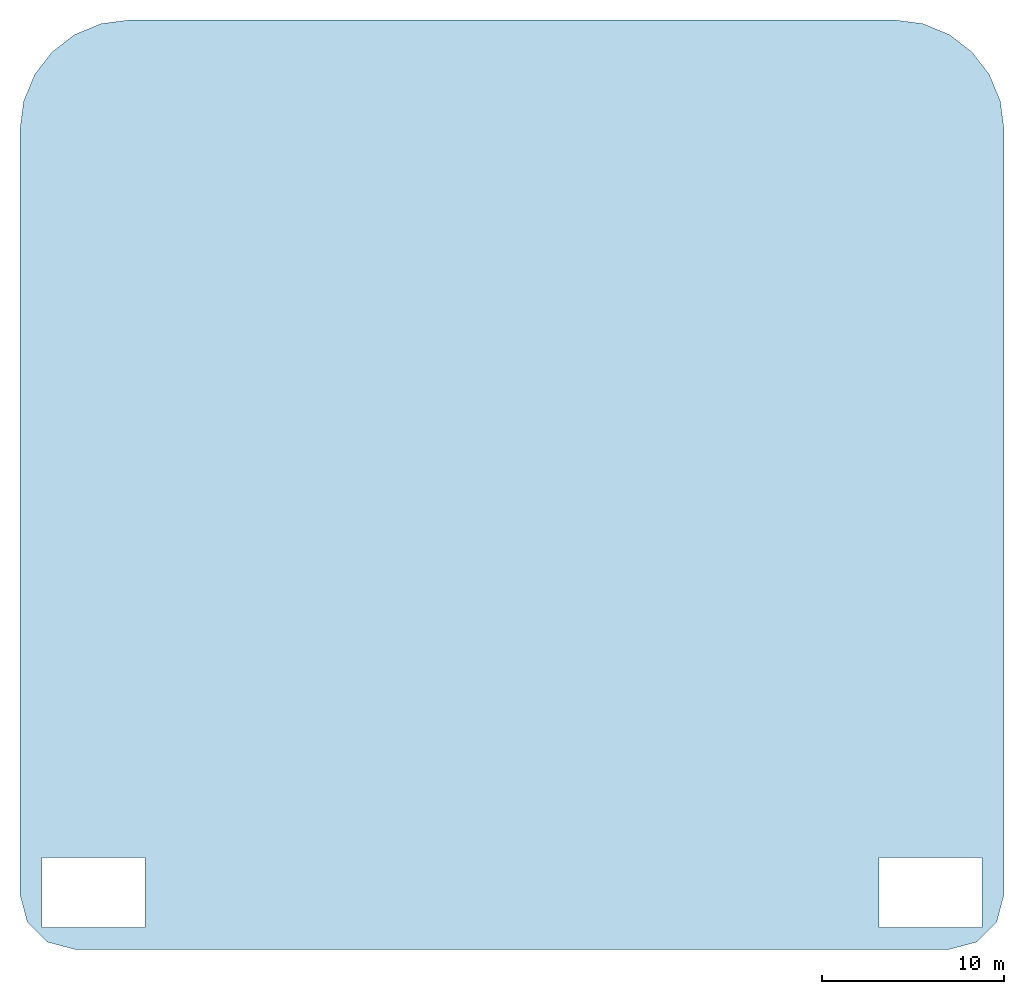
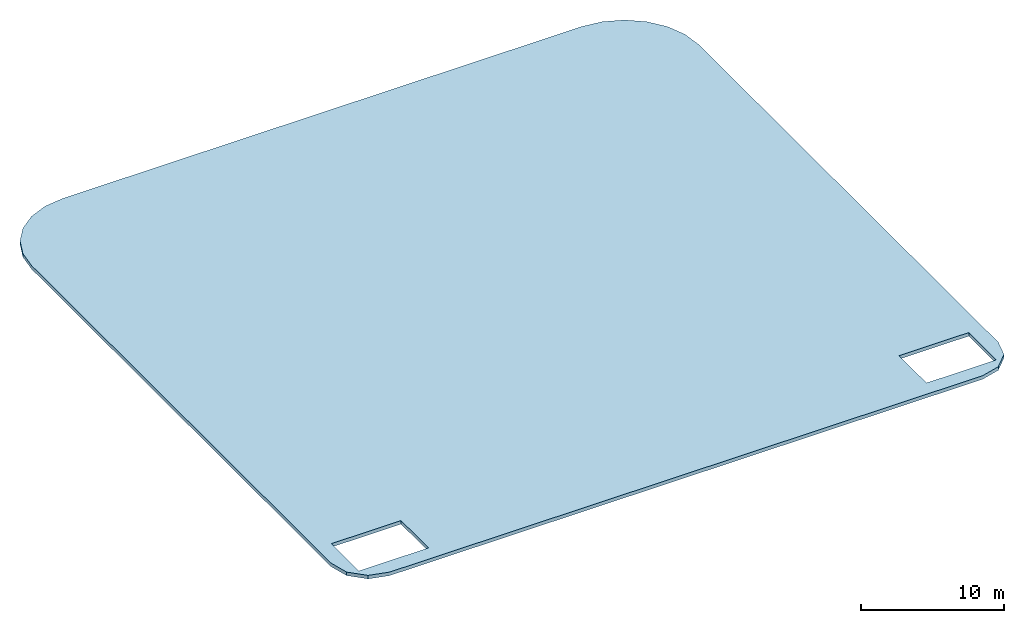
# One storey: 1 slab.
"""IFC4 building model written with IfcOpenShell, lengths in metres."""

from ifc_helpers import new_model, si_unit, direction, frame, origin, place, context, subcontext, project, spatial, polyline, outline, extrude, material, layer, layer_set, type_object, element, save


model = new_model("IFC4")

# Units and contexts
model_context = context("Model", 3, precision=1e-05, world=origin(), true_north=direction((0.0, 1.0)))
body_context = subcontext(model_context, "Body", "Model", "MODEL_VIEW")
ifc_project = project(units=[si_unit("LENGTHUNIT", "METRE"), si_unit("AREAUNIT", "SQUARE_METRE"), si_unit("VOLUMEUNIT", "CUBIC_METRE"), si_unit("PLANEANGLEUNIT", "RADIAN"), si_unit("MASSUNIT", "GRAM", prefix="KILO")], contexts=[model_context])

# Site, building, storey
site_placement = place(None, origin())
site = spatial("IfcSite", under=ifc_project, at=site_placement, CompositionType="ELEMENT")
building_placement = place(site_placement, origin())
building = spatial("IfcBuilding", under=site, at=building_placement, Name="Zellij Exchange Tower", CompositionType="ELEMENT")
storey_placement = place(building_placement, frame((0.0, 0.0, 310.5)))
storey = spatial("IfcBuildingStorey", under=building, at=storey_placement, Name="ROOF", CompositionType="ELEMENT", Elevation=310.5)

# Slab
ifc_material = material(Name="Concrete C40/50", Category="concrete")
ifc_layer = layer(ifc_material, 0.300048828125)
ifc_layer_set = layer_set([ifc_layer], Name="Concrete C40/50")
slab_type = type_object("IfcSlabType", Name="STR-ROOF SLAB 300 C40/50", PredefinedType="ROOF", material=ifc_layer_set)
slab_placement = place(storey_placement, frame((0.0, 0.0, -0.300048828125)))
element("IfcSlab", 1, at=slab_placement, inside=storey, type_object=slab_type, Name="Plant roof", PredefinedType="ROOF", context=body_context, shape_type="SweptSolid", body=[
    extrude(outline(polyline([(-24.0, -14.0), (-25.5, -13.59814453125), (-26.59814453125, -12.5), (-27.0, -11.0), (-27.0, 31.0), (-26.795654296875, 32.552978515625), (-26.1962890625, 34.0), (-25.24267578125, 35.24267578125), (-24.0, 36.1962890625), (-22.552978515625, 36.795654296875), (-21.0, 37.0), (21.0, 37.0), (22.552978515625, 36.795654296875), (24.0, 36.1962890625), (25.24267578125, 35.24267578125), (26.1962890625, 34.0), (26.795654296875, 32.552978515625), (27.0, 31.0), (27.0, -11.0), (26.59814453125, -12.5), (25.5, -13.59814453125), (24.0, -14.0), (-24.0, -14.0)]), holes=[polyline([(-20.153076171875, -12.800048828125), (-20.153076171875, -8.949951171875), (-25.800048828125, -8.949951171875), (-25.800048828125, -12.800048828125), (-20.153076171875, -12.800048828125)]), polyline([(25.800048828125, -12.800048828125), (25.800048828125, -8.949951171875), (20.153076171875, -8.949951171875), (20.153076171875, -12.800048828125), (25.800048828125, -12.800048828125)])]), origin(), (0.0, 0.0, 1.0), 0.300048828125),
])

save(model, "model.ifc")
